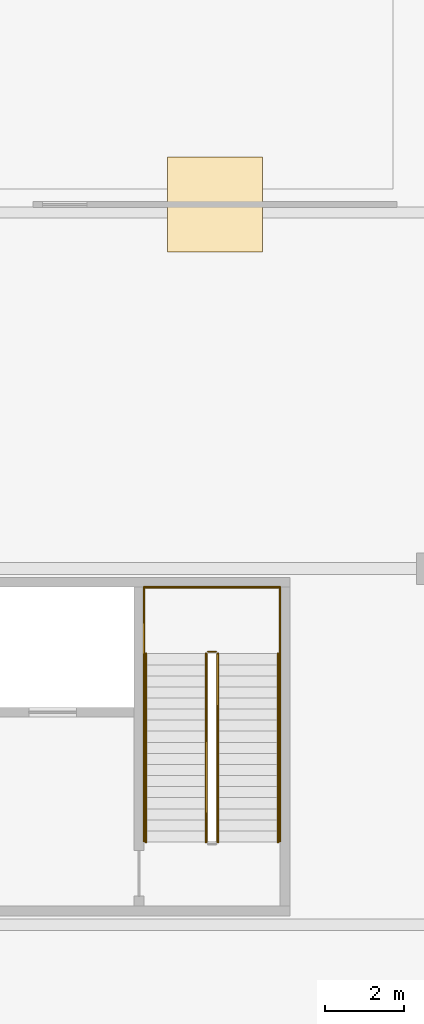
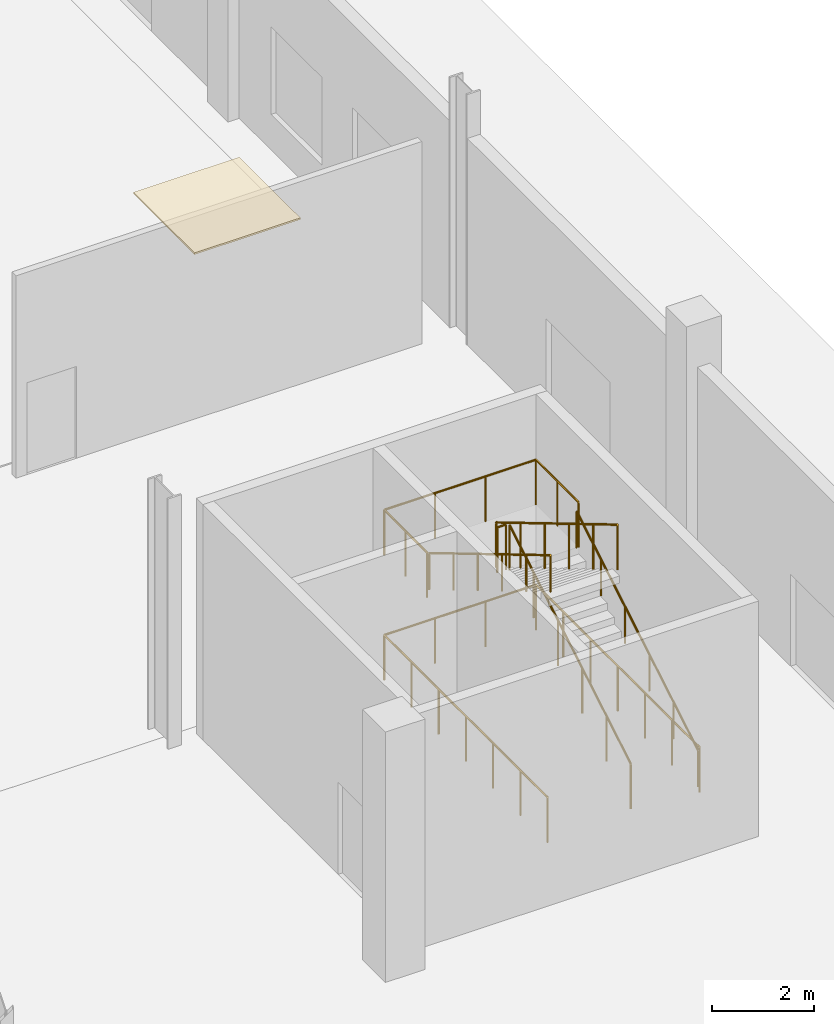
# One storey, part 56 of 58: 11 railings, 1 covering.
"""IFC4 building model written with IfcOpenShell, lengths in metres."""

from ifc_helpers import new_model, si_unit, direction, frame, origin, origin_2d, place, context, subcontext, project, spatial, polyline, circle, outline, extrude, material, layer, layer_set, type_object, element, save


model = new_model("IFC4")

# Units and contexts
model_context = context("Model", 3, precision=1e-05, world=origin(), true_north=direction((0.0, 1.0)))
body_context = subcontext(model_context, "Body", "Model", "MODEL_VIEW")
ifc_project = project(units=[si_unit("LENGTHUNIT", "METRE"), si_unit("AREAUNIT", "SQUARE_METRE"), si_unit("VOLUMEUNIT", "CUBIC_METRE"), si_unit("PLANEANGLEUNIT", "RADIAN"), si_unit("MASSUNIT", "GRAM", prefix="KILO")], contexts=[model_context])

# Site, building, storey
site_placement = place(None, origin())
site = spatial("IfcSite", under=ifc_project, at=site_placement, CompositionType="ELEMENT")
building_placement = place(site_placement, origin())
building = spatial("IfcBuilding", under=site, at=building_placement, Name="Barlavento Convention Centre", CompositionType="ELEMENT")
storey_placement = place(building_placement, origin())
storey = spatial("IfcBuildingStorey", under=building, at=storey_placement, Name="L00", CompositionType="ELEMENT", Elevation=0.0)

# Covering
ifc_material_1 = material(Name="Perforated mineral-fibre acoustic board")
ifc_layer = layer(ifc_material_1, 0.0400390625)
ifc_layer_set = layer_set([ifc_layer], Name="ARC-COV-CEIL-ACOU")
covering_type = type_object("IfcCoveringType", Name="ARC-COV-CEIL-ACOU", PredefinedType="CEILING", material=ifc_layer_set)
covering_placement = place(storey_placement, frame((0.0, 0.0, 4.85009765625)))
element("IfcCovering", 1, at=covering_placement, inside=storey, type_object=covering_type, Name="L00 acoustic ceiling panel", PredefinedType="CEILING", context=body_context, shape_type="SweptSolid", body=[
    extrude(outline(polyline([(185.300048828125, 107.0), (187.699951171875, 107.0), (187.699951171875, 109.39990234375), (185.300048828125, 109.39990234375), (185.300048828125, 107.0)])), origin(), (0.0, 0.0, 1.0), 0.039794921875),
])

# Railings
ifc_material_2 = material(Name="Stainless steel and laminated glass balustrade", Category="steel")
railing_type_1 = type_object("IfcRailingType", Name="ARC-RAL-BAL-1100", PredefinedType="BALUSTRADE", material=ifc_material_2)
railing_1_placement = place(storey_placement, frame((186.580078125, 92.090087890625, 0.166748046875)))
element("IfcRailing", 2, at=railing_1_placement, inside=storey, type_object=railing_type_1, Name="L00 ST08 stair guard 1", PredefinedType="BALUSTRADE", context=body_context, shape_type="SweptSolid", body=[
    extrude(circle(Radius=0.02392578125, at=origin_2d()), frame((0.0, 0.0, 1.076171875), z_axis=(0.0, 0.859299802514, 0.511472237174), x_axis=(-1.0, 0.0, 0.0)), (0.0, 0.0, 1.0), 5.539306640625),
    extrude(circle(Radius=0.02099609375, at=origin_2d()), origin(), (0.0, 0.0, 1.0), 1.052001953125),
    extrude(circle(Radius=0.02099609375, at=origin_2d()), frame((0.0, 0.951904296875, 0.566650390625)), (0.0, 0.0, 1.0), 1.052001953125),
    extrude(circle(Radius=0.02099609375, at=origin_2d()), frame((0.0, 1.904052734375, 1.13330078125)), (0.0, 0.0, 1.0), 1.052001953125),
    extrude(circle(Radius=0.02099609375, at=origin_2d()), frame((0.0, 2.85595703125, 1.699951171875)), (0.0, 0.0, 1.0), 1.052001953125),
    extrude(circle(Radius=0.02099609375, at=origin_2d()), frame((0.0, 3.80810546875, 2.2666015625)), (0.0, 0.0, 1.0), 1.052001953125),
    extrude(circle(Radius=0.02099609375, at=origin_2d()), frame((0.0, 4.760009765625, 2.833251953125)), (0.0, 0.0, 1.0), 1.052001953125),
])
railing_2_placement = place(storey_placement, frame((186.530029296875, 96.89990234375, 3.0)))
element("IfcRailing", 3, at=railing_2_placement, inside=storey, type_object=railing_type_1, Name="L00 ST08 stair guard 2", PredefinedType="BALUSTRADE", context=body_context, shape_type="SweptSolid", body=[
    extrude(circle(Radius=0.02392578125, at=origin_2d()), frame((0.0, 0.0, 1.076171875), z_axis=(-1.0, 0.0, 0.0), x_axis=(0.0, -1.0, 0.0)), (0.0, 0.0, 1.0), 0.199951171875),
    extrude(circle(Radius=0.02099609375, at=origin_2d()), origin(), (0.0, 0.0, 1.0), 1.052001953125),
    extrude(circle(Radius=0.02099609375, at=origin_2d()), frame((-0.199951171875, 0.0, 0.0)), (0.0, 0.0, 1.0), 1.052001953125),
])
railing_3_placement = place(storey_placement, frame((186.280029296875, 96.85009765625, 3.166748046875)))
element("IfcRailing", 4, at=railing_3_placement, inside=storey, type_object=railing_type_1, Name="L00 ST08 stair guard 3", PredefinedType="BALUSTRADE", context=body_context, shape_type="SweptSolid", body=[
    extrude(circle(Radius=0.02392578125, at=origin_2d()), frame((0.0, 0.0, 1.076171875), z_axis=(0.0, -0.859299802514, 0.511472237174), x_axis=(1.0, 0.0, 0.0)), (0.0, 0.0, 1.0), 5.539306640625),
    extrude(circle(Radius=0.02099609375, at=origin_2d()), origin(), (0.0, 0.0, 1.0), 1.052001953125),
    extrude(circle(Radius=0.02099609375, at=origin_2d()), frame((0.0, -0.951904296875, 0.566650390625)), (0.0, 0.0, 1.0), 1.052001953125),
    extrude(circle(Radius=0.02099609375, at=origin_2d()), frame((0.0, -1.904052734375, 1.13330078125)), (0.0, 0.0, 1.0), 1.052001953125),
    extrude(circle(Radius=0.02099609375, at=origin_2d()), frame((0.0, -2.85595703125, 1.699951171875)), (0.0, 0.0, 1.0), 1.052001953125),
    extrude(circle(Radius=0.02099609375, at=origin_2d()), frame((0.0, -3.80810546875, 2.2666015625)), (0.0, 0.0, 1.0), 1.052001953125),
    extrude(circle(Radius=0.02099609375, at=origin_2d()), frame((0.0, -4.760009765625, 2.833251953125)), (0.0, 0.0, 1.0), 1.052001953125),
])
for number, where, name in (
    (5, (188.14990234375, 96.85009765625, 3.0), "L00 landing guard GR01"),
    (6, (184.7099609375, 96.85009765625, 3.0), "L00 landing guard GR01"),
):
    element("IfcRailing", number, at=place(storey_placement, frame(where)), inside=storey, type_object=railing_type_1, Name=name, PredefinedType="BALUSTRADE", context=body_context, shape_type="SweptSolid", body=[
        extrude(circle(Radius=0.02392578125, at=origin_2d()), frame((0.0, 0.0, 1.076171875), z_axis=(0.0, 1.0, 0.0), x_axis=(-1.0, 0.0, 0.0)), (0.0, 0.0, 1.0), 1.679931640625),
        extrude(circle(Radius=0.02099609375, at=origin_2d()), origin(), (0.0, 0.0, 1.0), 1.052001953125),
        extrude(circle(Radius=0.02099609375, at=origin_2d()), frame((0.0, 0.83984375, 0.0)), (0.0, 0.0, 1.0), 1.052001953125),
        extrude(circle(Radius=0.02099609375, at=origin_2d()), frame((0.0, 1.679931640625, 0.0)), (0.0, 0.0, 1.0), 1.052001953125),
    ])
railing_4_placement = place(storey_placement, frame((188.14990234375, 98.530029296875, 3.0)))
element("IfcRailing", 7, at=railing_4_placement, inside=storey, type_object=railing_type_1, Name="L00 landing guard GR01", PredefinedType="BALUSTRADE", context=body_context, shape_type="SweptSolid", body=[
    extrude(circle(Radius=0.02392578125, at=origin_2d()), frame((0.0, 0.0, 1.076171875), z_axis=(-1.0, 0.0, 0.0), x_axis=(0.0, -1.0, 0.0)), (0.0, 0.0, 1.0), 3.43994140625),
    extrude(circle(Radius=0.02099609375, at=origin_2d()), origin(), (0.0, 0.0, 1.0), 1.052001953125),
    extrude(circle(Radius=0.02099609375, at=origin_2d()), frame((-1.146728515625, 0.0, 0.0)), (0.0, 0.0, 1.0), 1.052001953125),
    extrude(circle(Radius=0.02099609375, at=origin_2d()), frame((-2.293212890625, 0.0, 0.0)), (0.0, 0.0, 1.0), 1.052001953125),
    extrude(circle(Radius=0.02099609375, at=origin_2d()), frame((-3.43994140625, 0.0, 0.0)), (0.0, 0.0, 1.0), 1.052001953125),
])
railing_5_placement = place(storey_placement, frame((188.14990234375, 92.114990234375, 0.0)))
element("IfcRailing", 8, at=railing_5_placement, inside=storey, type_object=railing_type_1, Name="L00 stairwell perimeter guard GR01", PredefinedType="BALUSTRADE", context=body_context, shape_type="SweptSolid", body=[
    extrude(circle(Radius=0.02392578125, at=origin_2d()), frame((0.0, 0.0, 1.076171875), z_axis=(0.0, 1.0, 0.0), x_axis=(-1.0, 0.0, 0.0)), (0.0, 0.0, 1.0), 6.4150390625),
    extrude(circle(Radius=0.02099609375, at=origin_2d()), origin(), (0.0, 0.0, 1.0), 1.052001953125),
    extrude(circle(Radius=0.02099609375, at=origin_2d()), frame((0.0, 1.069091796875, 0.0)), (0.0, 0.0, 1.0), 1.052001953125),
    extrude(circle(Radius=0.02099609375, at=origin_2d()), frame((0.0, 2.138427734375, 0.0)), (0.0, 0.0, 1.0), 1.052001953125),
    extrude(circle(Radius=0.02099609375, at=origin_2d()), frame((0.0, 3.20751953125, 0.0)), (0.0, 0.0, 1.0), 1.052001953125),
    extrude(circle(Radius=0.02099609375, at=origin_2d()), frame((0.0, 4.276611328125, 0.0)), (0.0, 0.0, 1.0), 1.052001953125),
    extrude(circle(Radius=0.02099609375, at=origin_2d()), frame((0.0, 5.345947265625, 0.0)), (0.0, 0.0, 1.0), 1.052001953125),
    extrude(circle(Radius=0.02099609375, at=origin_2d()), frame((0.0, 6.4150390625, 0.0)), (0.0, 0.0, 1.0), 1.052001953125),
])
railing_6_placement = place(storey_placement, frame((188.14990234375, 98.530029296875, 0.0)))
element("IfcRailing", 9, at=railing_6_placement, inside=storey, type_object=railing_type_1, Name="L00 stairwell perimeter guard GR01", PredefinedType="BALUSTRADE", context=body_context, shape_type="SweptSolid", body=[
    extrude(circle(Radius=0.02392578125, at=origin_2d()), frame((0.0, 0.0, 1.076171875), z_axis=(-1.0, 0.0, 0.0), x_axis=(0.0, -1.0, 0.0)), (0.0, 0.0, 1.0), 3.43994140625),
    extrude(circle(Radius=0.02099609375, at=origin_2d()), origin(), (0.0, 0.0, 1.0), 1.052001953125),
    extrude(circle(Radius=0.02099609375, at=origin_2d()), frame((-1.146728515625, 0.0, 0.0)), (0.0, 0.0, 1.0), 1.052001953125),
    extrude(circle(Radius=0.02099609375, at=origin_2d()), frame((-2.293212890625, 0.0, 0.0)), (0.0, 0.0, 1.0), 1.052001953125),
    extrude(circle(Radius=0.02099609375, at=origin_2d()), frame((-3.43994140625, 0.0, 0.0)), (0.0, 0.0, 1.0), 1.052001953125),
])
railing_7_placement = place(storey_placement, frame((184.7099609375, 98.530029296875, 0.0)))
element("IfcRailing", 10, at=railing_7_placement, inside=storey, type_object=railing_type_1, Name="L00 stairwell perimeter guard GR01", PredefinedType="BALUSTRADE", context=body_context, shape_type="SweptSolid", body=[
    extrude(circle(Radius=0.02392578125, at=origin_2d()), frame((0.0, 0.0, 1.076171875), z_axis=(0.0, -1.0, 0.0), x_axis=(1.0, 0.0, 0.0)), (0.0, 0.0, 1.0), 6.4150390625),
    extrude(circle(Radius=0.02099609375, at=origin_2d()), origin(), (0.0, 0.0, 1.0), 1.052001953125),
    extrude(circle(Radius=0.02099609375, at=origin_2d()), frame((0.0, -1.069091796875, 0.0)), (0.0, 0.0, 1.0), 1.052001953125),
    extrude(circle(Radius=0.02099609375, at=origin_2d()), frame((0.0, -2.138427734375, 0.0)), (0.0, 0.0, 1.0), 1.052001953125),
    extrude(circle(Radius=0.02099609375, at=origin_2d()), frame((0.0, -3.20751953125, 0.0)), (0.0, 0.0, 1.0), 1.052001953125),
    extrude(circle(Radius=0.02099609375, at=origin_2d()), frame((0.0, -4.276611328125, 0.0)), (0.0, 0.0, 1.0), 1.052001953125),
    extrude(circle(Radius=0.02099609375, at=origin_2d()), frame((0.0, -5.345947265625, 0.0)), (0.0, 0.0, 1.0), 1.052001953125),
    extrude(circle(Radius=0.02099609375, at=origin_2d()), frame((0.0, -6.4150390625, 0.0)), (0.0, 0.0, 1.0), 1.052001953125),
])
ifc_material_3 = material(Name="Brushed stainless steel tubular handrail", Category="steel")
railing_type_2 = type_object("IfcRailingType", Name="ARC-RAL-HR-900", PredefinedType="HANDRAIL", material=ifc_material_3)
railing_8_placement = place(storey_placement, frame((188.10009765625, 92.090087890625, 0.166748046875)))
element("IfcRailing", 11, at=railing_8_placement, inside=storey, type_object=railing_type_2, Name="L00 ST08 stair handrail 1", PredefinedType="HANDRAIL", context=body_context, shape_type="SweptSolid", body=[
    extrude(circle(Radius=0.02392578125, at=origin_2d()), frame((0.0, 0.0, 0.8759765625), z_axis=(0.0, 0.859299802514, 0.511472237174), x_axis=(-1.0, 0.0, 0.0)), (0.0, 0.0, 1.0), 5.539306640625),
    extrude(circle(Radius=0.02099609375, at=origin_2d()), origin(), (0.0, 0.0, 1.0), 0.851806640625),
    extrude(circle(Radius=0.02099609375, at=origin_2d()), frame((0.0, 0.951904296875, 0.566650390625)), (0.0, 0.0, 1.0), 0.851806640625),
    extrude(circle(Radius=0.02099609375, at=origin_2d()), frame((0.0, 1.904052734375, 1.13330078125)), (0.0, 0.0, 1.0), 0.851806640625),
    extrude(circle(Radius=0.02099609375, at=origin_2d()), frame((0.0, 2.85595703125, 1.699951171875)), (0.0, 0.0, 1.0), 0.851806640625),
    extrude(circle(Radius=0.02099609375, at=origin_2d()), frame((0.0, 3.80810546875, 2.2666015625)), (0.0, 0.0, 1.0), 0.851806640625),
    extrude(circle(Radius=0.02099609375, at=origin_2d()), frame((0.0, 4.760009765625, 2.833251953125)), (0.0, 0.0, 1.0), 0.851806640625),
])
railing_9_placement = place(storey_placement, frame((184.760009765625, 96.85009765625, 3.166748046875)))
element("IfcRailing", 12, at=railing_9_placement, inside=storey, type_object=railing_type_2, Name="L00 ST08 stair handrail 2", PredefinedType="HANDRAIL", context=body_context, shape_type="SweptSolid", body=[
    extrude(circle(Radius=0.02392578125, at=origin_2d()), frame((0.0, 0.0, 0.8759765625), z_axis=(0.0, -0.859299802514, 0.511472237174), x_axis=(1.0, 0.0, 0.0)), (0.0, 0.0, 1.0), 5.539306640625),
    extrude(circle(Radius=0.02099609375, at=origin_2d()), origin(), (0.0, 0.0, 1.0), 0.851806640625),
    extrude(circle(Radius=0.02099609375, at=origin_2d()), frame((0.0, -0.951904296875, 0.566650390625)), (0.0, 0.0, 1.0), 0.851806640625),
    extrude(circle(Radius=0.02099609375, at=origin_2d()), frame((0.0, -1.904052734375, 1.13330078125)), (0.0, 0.0, 1.0), 0.851806640625),
    extrude(circle(Radius=0.02099609375, at=origin_2d()), frame((0.0, -2.85595703125, 1.699951171875)), (0.0, 0.0, 1.0), 0.851806640625),
    extrude(circle(Radius=0.02099609375, at=origin_2d()), frame((0.0, -3.80810546875, 2.2666015625)), (0.0, 0.0, 1.0), 0.851806640625),
    extrude(circle(Radius=0.02099609375, at=origin_2d()), frame((0.0, -4.760009765625, 2.833251953125)), (0.0, 0.0, 1.0), 0.851806640625),
])

save(model, "model.ifc")
